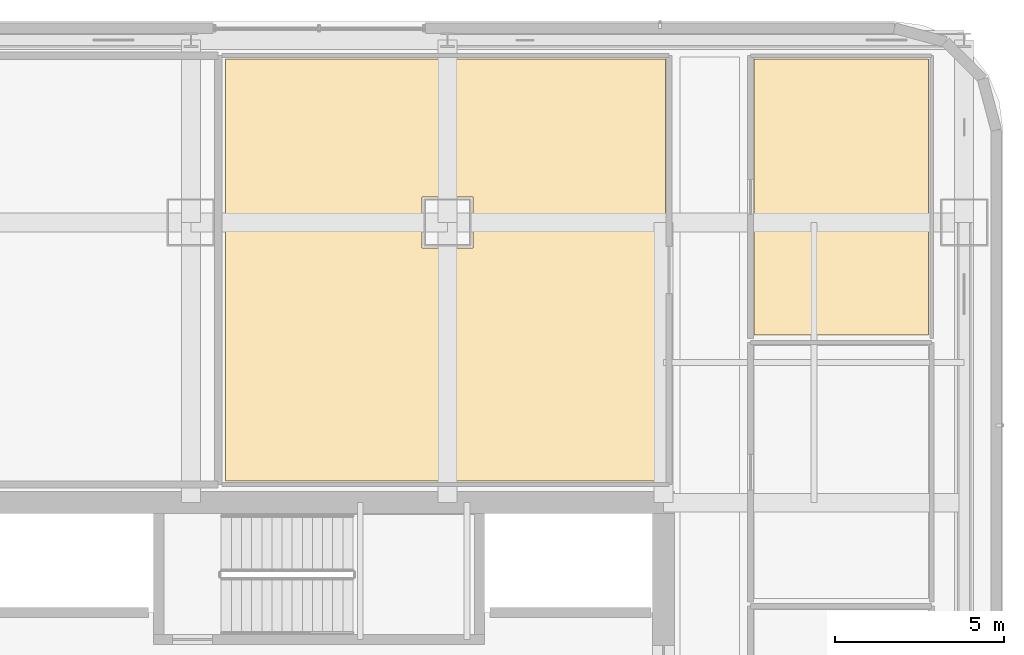
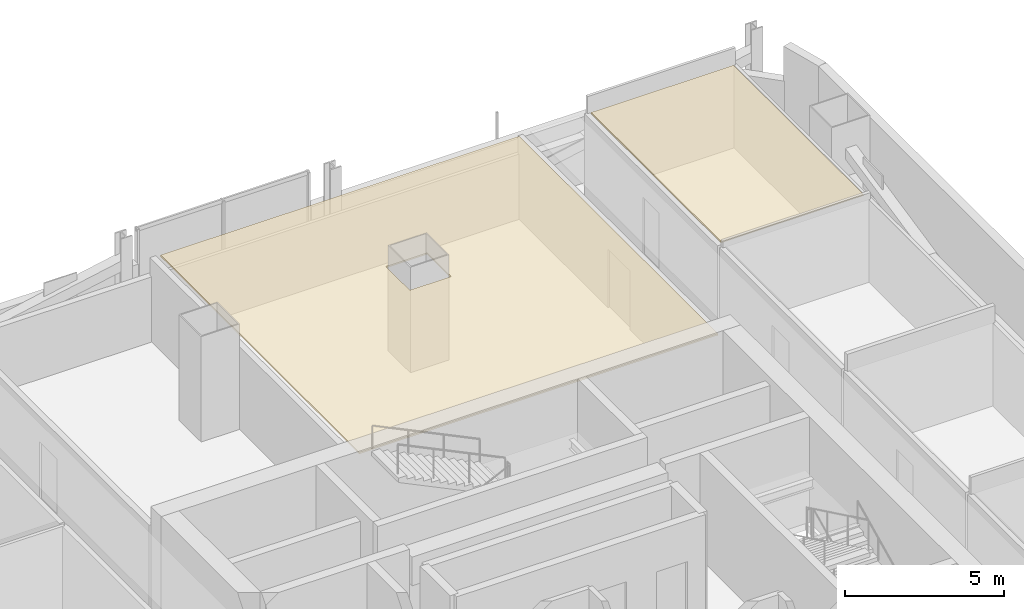
# One storey, part 31 of 32: 2 coverings.
"""IFC4 building model written with IfcOpenShell, lengths in metres."""

from ifc_helpers import new_model, si_unit, direction, frame, origin, place, context, subcontext, project, spatial, polyline, outline, extrude, material, layer, layer_set, type_object, element, save


model = new_model("IFC4")

# Units and contexts
model_context = context("Model", 3, precision=1e-05, world=origin(), true_north=direction((0.0, 1.0)))
body_context = subcontext(model_context, "Body", "Model", "MODEL_VIEW")
ifc_project = project(units=[si_unit("LENGTHUNIT", "METRE"), si_unit("AREAUNIT", "SQUARE_METRE"), si_unit("VOLUMEUNIT", "CUBIC_METRE"), si_unit("PLANEANGLEUNIT", "RADIAN"), si_unit("MASSUNIT", "GRAM", prefix="KILO")], contexts=[model_context])

# Site, building, storey
site_placement = place(None, origin())
site = spatial("IfcSite", under=ifc_project, at=site_placement, CompositionType="ELEMENT")
building_placement = place(site_placement, origin())
building = spatial("IfcBuilding", under=site, at=building_placement, Name="Punatoya Terracotta Tower", CompositionType="ELEMENT")
storey_placement = place(building_placement, frame((0.0, 0.0, 139.800048828125)))
storey = spatial("IfcBuildingStorey", under=building, at=storey_placement, Name="L32", CompositionType="ELEMENT", Elevation=139.800048828125)

# Coverings
ifc_material = material(Name="Acoustic Mineral Fibre Ceiling")
ifc_layer = layer(ifc_material, 0.06005859375)
ifc_layer_set = layer_set([ifc_layer], Name="Acoustic Mineral Fibre Ceiling")
covering_type = type_object("IfcCoveringType", Name="COV-CEIL-60", PredefinedType="CEILING", material=ifc_layer_set)
covering_1_placement = place(storey_placement, frame((0.0, 0.0, 3.159912109375)))
element("IfcCovering", 1, at=covering_1_placement, inside=storey, type_object=covering_type, Name="L32 Editorial Conference Room Acoustic Ceiling", PredefinedType="CEILING", context=body_context, shape_type="SweptSolid", body=[
    extrude(outline(polyline([(10.260009765625, 9.840087890625), (10.260009765625, 22.340087890625), (-2.77392578125, 22.340087890625), (-2.77392578125, 9.840087890625), (10.260009765625, 9.840087890625)]), holes=[polyline([(4.550048828125, 16.75), (3.050048828125, 16.75), (3.050048828125, 18.25), (4.550048828125, 18.25), (4.550048828125, 16.75)])]), origin(), (0.0, 0.0, 1.0), 0.06005859375),
])
covering_2_placement = place(storey_placement, frame((0.0, 0.0, 3.159912109375)))
element("IfcCovering", 2, at=covering_2_placement, inside=storey, type_object=covering_type, Name="L32 Visualization Review Room Acoustic Ceiling", PredefinedType="CEILING", context=body_context, shape_type="SweptSolid", body=[
    extrude(outline(polyline([(12.8701171875, 22.340087890625), (12.8701171875, 14.169921875), (18.0400390625, 14.169921875), (18.0400390625, 22.340087890625), (12.8701171875, 22.340087890625)])), origin(), (0.0, 0.0, 1.0), 0.06005859375),
])

save(model, "model.ifc")
